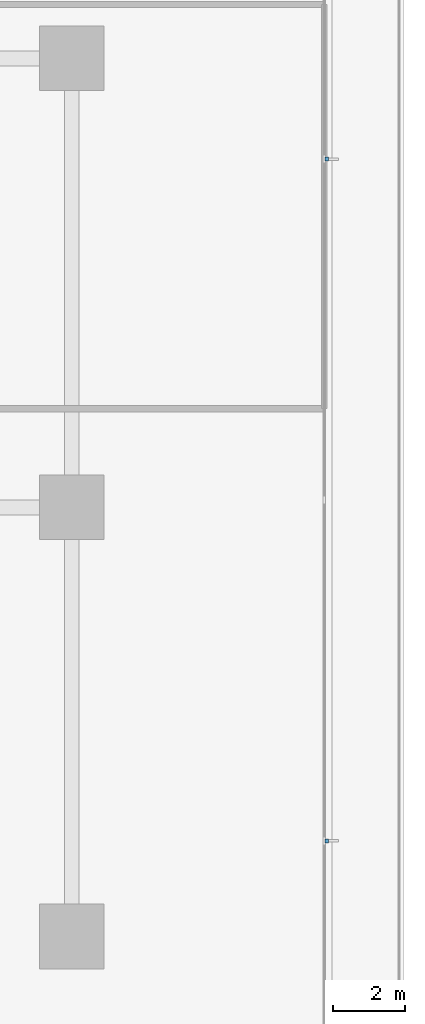
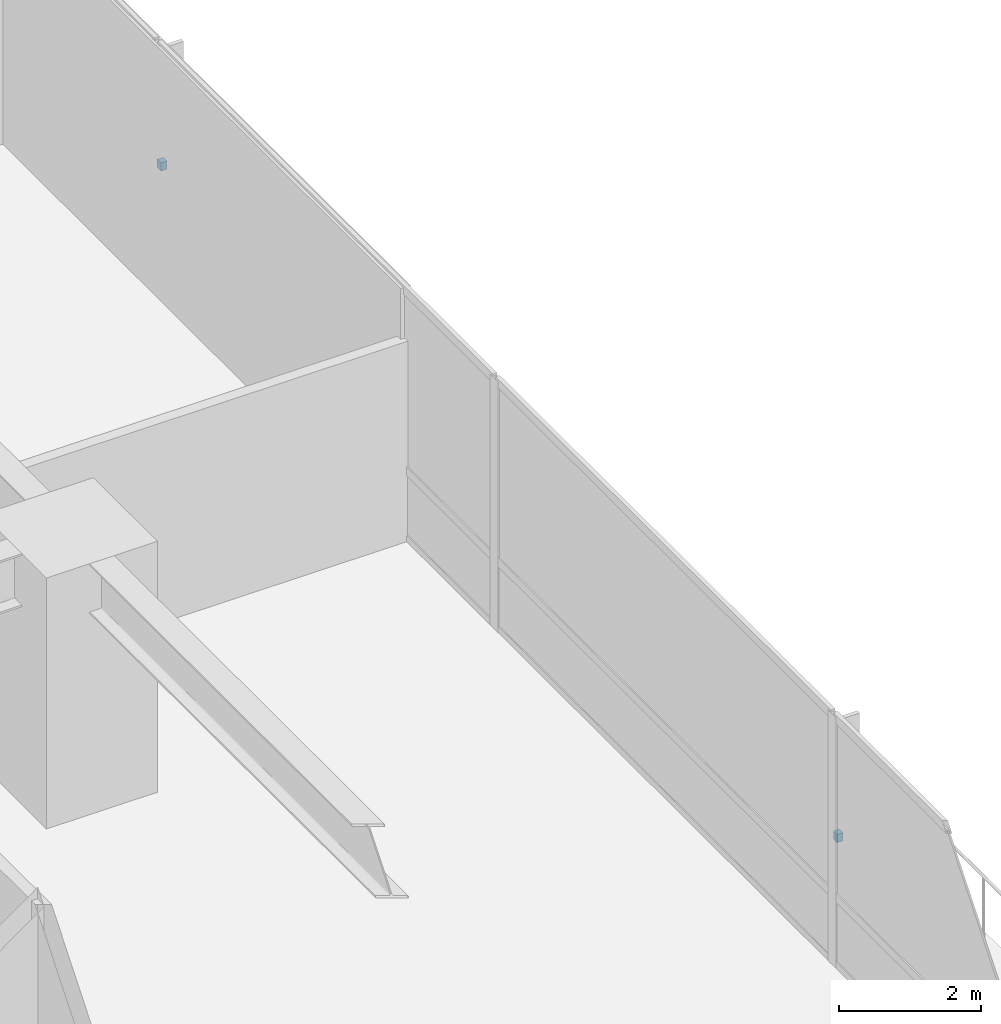
# One storey, part 18 of 26: 2 discrete accessories.
"""IFC4 building model written with IfcOpenShell, lengths in metres."""

from ifc_helpers import new_model, si_unit, direction, frame, origin, place, context, subcontext, project, spatial, polyline, outline, extrude, material, type_object, element, save


model = new_model("IFC4")

# Units and contexts
model_context = context("Model", 3, precision=1e-05, world=origin(), true_north=direction((0.0, 1.0)))
body_context = subcontext(model_context, "Body", "Model", "MODEL_VIEW")
ifc_project = project(units=[si_unit("LENGTHUNIT", "METRE"), si_unit("AREAUNIT", "SQUARE_METRE"), si_unit("VOLUMEUNIT", "CUBIC_METRE"), si_unit("PLANEANGLEUNIT", "RADIAN"), si_unit("MASSUNIT", "GRAM", prefix="KILO")], contexts=[model_context])

# Site, building, storey
site_placement = place(None, origin())
site = spatial("IfcSite", under=ifc_project, at=site_placement, CompositionType="ELEMENT")
building_placement = place(site_placement, origin())
building = spatial("IfcBuilding", under=site, at=building_placement, Name="Qalmaran Belvedere Hotel", CompositionType="ELEMENT")
storey_placement = place(building_placement, frame((0.0, 0.0, 19.199951171875)))
storey = spatial("IfcBuildingStorey", under=building, at=storey_placement, Name="L04", CompositionType="ELEMENT", Elevation=19.199951171875)

# Discrete accessories
ifc_material = material(Name="Stainless Steel 1.4401", Category="steel")
discrete_accessory_type = type_object("IfcDiscreteAccessoryType", Name="BRK-FIN-SS316", PredefinedType="BRACKET", material=ifc_material)
discrete_accessory_1_placement = place(storey_placement, frame((0.0, 0.0, 2.10009765625)))
element("IfcDiscreteAccessory", 1, at=discrete_accessory_1_placement, inside=storey, type_object=discrete_accessory_type, Name="L04 Fin Bracket 1", PredefinedType="BRACKET", context=body_context, shape_type="SweptSolid", body=[
    extrude(outline(polyline([(67.794921875, 11.156982421875), (67.892578125, 11.156982421875), (67.892578125, 11.26708984375), (67.794921875, 11.26708984375), (67.794921875, 11.156982421875)])), origin(), (0.0, 0.0, 1.0), 0.139892578125),
])
discrete_accessory_2_placement = place(storey_placement, frame((0.0, 0.0, 2.10009765625)))
element("IfcDiscreteAccessory", 2, at=discrete_accessory_2_placement, inside=storey, type_object=discrete_accessory_type, Name="L04 Fin Bracket 3", PredefinedType="BRACKET", context=body_context, shape_type="SweptSolid", body=[
    extrude(outline(polyline([(67.794921875, 30.14111328125), (67.892578125, 30.14111328125), (67.892578125, 30.2509765625), (67.794921875, 30.2509765625), (67.794921875, 30.14111328125)])), origin(), (0.0, 0.0, 1.0), 0.139892578125),
])

save(model, "model.ifc")
